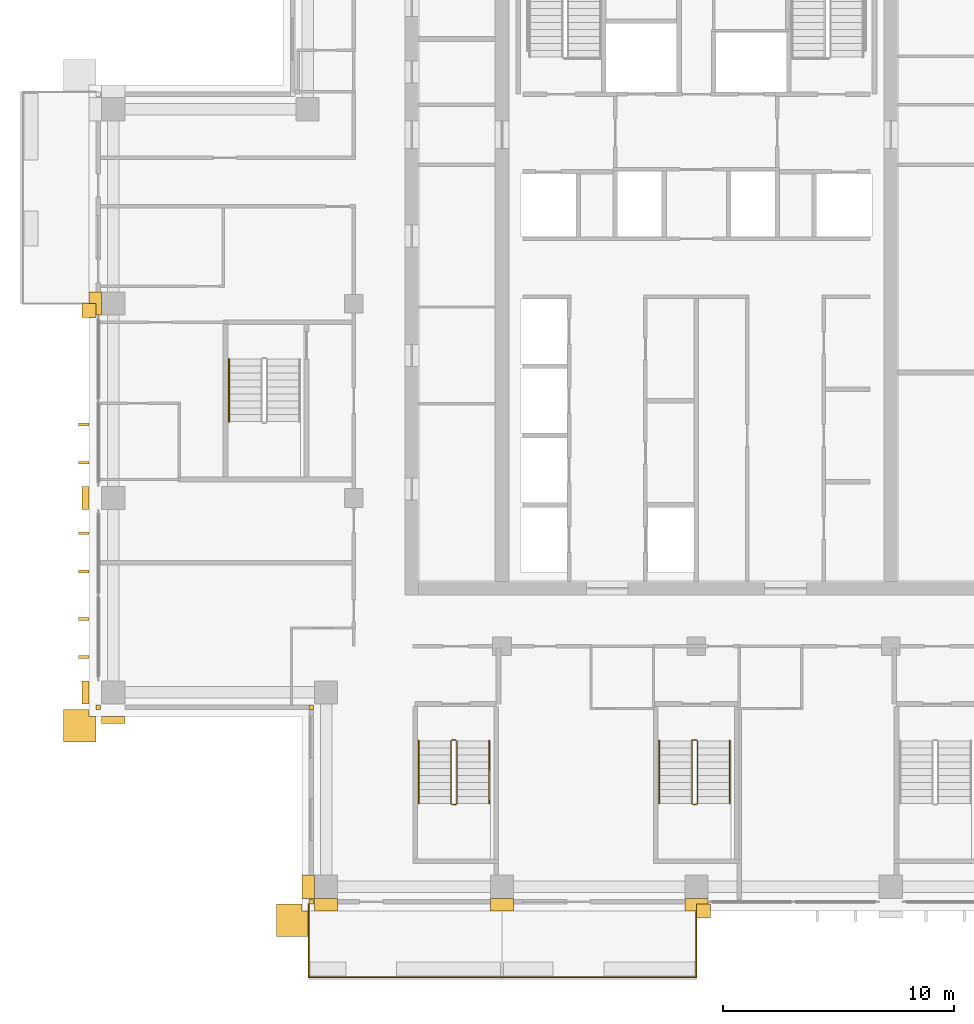
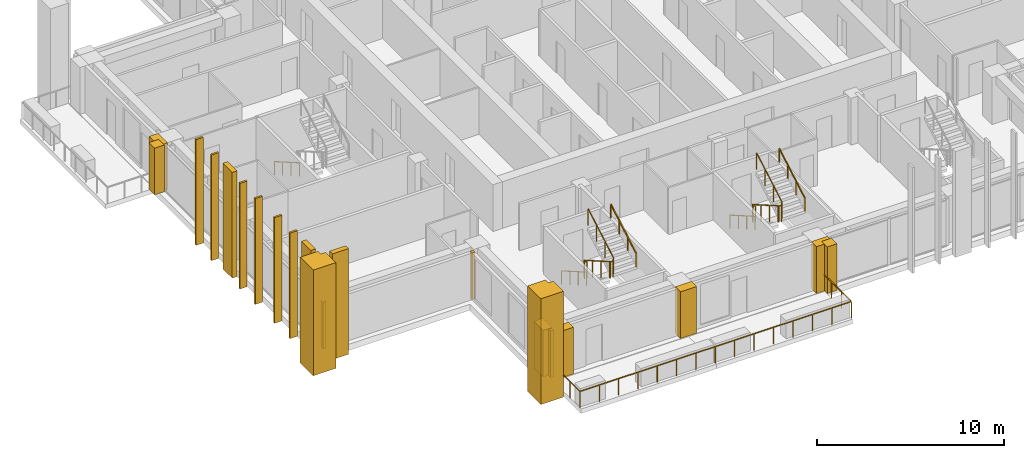
# One storey, part 13 of 16: 21 coverings, 9 railings.
"""IFC4 building model written with IfcOpenShell, lengths in metres."""

from ifc_helpers import new_model, si_unit, direction, frame, origin, origin_2d, place, context, subcontext, project, spatial, polyline, rectangle, outline, extrude, material, layer, layer_set, type_object, element, save


model = new_model("IFC4")

# Units and contexts
model_context = context("Model", 3, precision=1e-05, world=origin(), true_north=direction((0.0, 1.0)))
body_context = subcontext(model_context, "Body", "Model", "MODEL_VIEW")
ifc_project = project(units=[si_unit("LENGTHUNIT", "METRE"), si_unit("AREAUNIT", "SQUARE_METRE"), si_unit("VOLUMEUNIT", "CUBIC_METRE"), si_unit("PLANEANGLEUNIT", "RADIAN"), si_unit("MASSUNIT", "GRAM", prefix="KILO")], contexts=[model_context])

# Site, building, storey
site_placement = place(None, origin())
site = spatial("IfcSite", under=ifc_project, at=site_placement, CompositionType="ELEMENT")
building_placement = place(site_placement, origin())
building = spatial("IfcBuilding", under=site, at=building_placement, Name="Vermilion Ogive Tower", CompositionType="ELEMENT")
storey_placement = place(building_placement, frame((0.0, 0.0, 206.60009765625)))
storey = spatial("IfcBuildingStorey", under=building, at=storey_placement, Name="L54", CompositionType="ELEMENT", Elevation=206.60009765625)

# Railings
ifc_material_1 = material(Name="Stainless steel and glass", Category="steel")
railing_type_1 = type_object("IfcRailingType", Name="Balcony guard", PredefinedType="GUARDRAIL", material=ifc_material_1)
railing_1_placement = place(storey_placement, frame((-16.75, -21.75, -0.0400390625)))
element("IfcRailing", 1, at=railing_1_placement, inside=storey, type_object=railing_type_1, Name="Guard S01", PredefinedType="GUARDRAIL", context=body_context, shape_type="SweptSolid", body=[
    extrude(rectangle(XDim=0.048095703125, YDim=0.048095703125, at=origin_2d()), frame((0.0, 0.0, 1.076171875), z_axis=(0.0, -1.0, 0.0), x_axis=(1.0, 0.0, 0.0)), (0.0, 0.0, 1.0), 3.159912109375),
    extrude(rectangle(XDim=0.048095703125, YDim=0.048095703125, at=origin_2d()), frame((0.0, -3.159912109375, 1.076171875), z_axis=(1.0, 0.0, 0.0), x_axis=(0.0, 1.0, 0.0)), (0.0, 0.0, 1.0), 8.35009765625),
    extrude(rectangle(XDim=0.0419921875, YDim=0.0419921875, at=origin_2d()), origin(), (0.0, 0.0, 1.0), 1.052001953125),
    extrude(rectangle(XDim=0.0419921875, YDim=0.0419921875, at=origin_2d()), frame((0.0, -1.05322265625, 0.0)), (0.0, 0.0, 1.0), 1.052001953125),
    extrude(rectangle(XDim=0.0419921875, YDim=0.0419921875, at=origin_2d()), frame((0.0, -2.106689453125, 0.0)), (0.0, 0.0, 1.0), 1.052001953125),
    extrude(rectangle(XDim=0.0419921875, YDim=0.0419921875, at=origin_2d()), frame((0.0, -3.159912109375, 0.0)), (0.0, 0.0, 1.0), 1.052001953125),
    extrude(rectangle(XDim=0.0419921875, YDim=0.0419921875, at=origin_2d()), frame((1.19287109375, -3.159912109375, 0.0)), (0.0, 0.0, 1.0), 1.052001953125),
    extrude(rectangle(XDim=0.0419921875, YDim=0.0419921875, at=origin_2d()), frame((2.3857421875, -3.159912109375, 0.0)), (0.0, 0.0, 1.0), 1.052001953125),
    extrude(rectangle(XDim=0.0419921875, YDim=0.0419921875, at=origin_2d()), frame((3.57861328125, -3.159912109375, 0.0)), (0.0, 0.0, 1.0), 1.052001953125),
    extrude(rectangle(XDim=0.0419921875, YDim=0.0419921875, at=origin_2d()), frame((4.771484375, -3.159912109375, 0.0)), (0.0, 0.0, 1.0), 1.052001953125),
    extrude(rectangle(XDim=0.0419921875, YDim=0.0419921875, at=origin_2d()), frame((5.96435546875, -3.159912109375, 0.0)), (0.0, 0.0, 1.0), 1.052001953125),
    extrude(rectangle(XDim=0.0419921875, YDim=0.0419921875, at=origin_2d()), frame((7.1572265625, -3.159912109375, 0.0)), (0.0, 0.0, 1.0), 1.052001953125),
    extrude(rectangle(XDim=0.0419921875, YDim=0.0419921875, at=origin_2d()), frame((8.35009765625, -3.159912109375, 0.0)), (0.0, 0.0, 1.0), 1.052001953125),
])
railing_2_placement = place(storey_placement, frame((-8.39990234375, -24.909912109375, -0.0400390625)))
element("IfcRailing", 2, at=railing_2_placement, inside=storey, type_object=railing_type_1, Name="Guard S02", PredefinedType="GUARDRAIL", context=body_context, shape_type="SweptSolid", body=[
    extrude(rectangle(XDim=0.048095703125, YDim=0.048095703125, at=origin_2d()), frame((0.0, 0.0, 1.076171875), z_axis=(1.0, 0.0, 0.0), x_axis=(0.0, 1.0, 0.0)), (0.0, 0.0, 1.0), 8.39990234375),
    extrude(rectangle(XDim=0.048095703125, YDim=0.048095703125, at=origin_2d()), frame((8.39990234375, 0.0, 1.076171875), z_axis=(0.0, 1.0, 0.0), x_axis=(-1.0, 0.0, 0.0)), (0.0, 0.0, 1.0), 3.159912109375),
    extrude(rectangle(XDim=0.0419921875, YDim=0.0419921875, at=origin_2d()), origin(), (0.0, 0.0, 1.0), 1.052001953125),
    extrude(rectangle(XDim=0.0419921875, YDim=0.0419921875, at=origin_2d()), frame((1.199951171875, 0.0, 0.0)), (0.0, 0.0, 1.0), 1.052001953125),
    extrude(rectangle(XDim=0.0419921875, YDim=0.0419921875, at=origin_2d()), frame((2.39990234375, 0.0, 0.0)), (0.0, 0.0, 1.0), 1.052001953125),
    extrude(rectangle(XDim=0.0419921875, YDim=0.0419921875, at=origin_2d()), frame((3.599853515625, 0.0, 0.0)), (0.0, 0.0, 1.0), 1.052001953125),
    extrude(rectangle(XDim=0.0419921875, YDim=0.0419921875, at=origin_2d()), frame((4.800048828125, 0.0, 0.0)), (0.0, 0.0, 1.0), 1.052001953125),
    extrude(rectangle(XDim=0.0419921875, YDim=0.0419921875, at=origin_2d()), frame((6.0, 0.0, 0.0)), (0.0, 0.0, 1.0), 1.052001953125),
    extrude(rectangle(XDim=0.0419921875, YDim=0.0419921875, at=origin_2d()), frame((7.199951171875, 0.0, 0.0)), (0.0, 0.0, 1.0), 1.052001953125),
    extrude(rectangle(XDim=0.0419921875, YDim=0.0419921875, at=origin_2d()), frame((8.39990234375, 0.0, 0.0)), (0.0, 0.0, 1.0), 1.052001953125),
    extrude(rectangle(XDim=0.0419921875, YDim=0.0419921875, at=origin_2d()), frame((8.39990234375, 1.05322265625, 0.0)), (0.0, 0.0, 1.0), 1.052001953125),
    extrude(rectangle(XDim=0.0419921875, YDim=0.0419921875, at=origin_2d()), frame((8.39990234375, 2.106689453125, 0.0)), (0.0, 0.0, 1.0), 1.052001953125),
    extrude(rectangle(XDim=0.0419921875, YDim=0.0419921875, at=origin_2d()), frame((8.39990234375, 3.159912109375, 0.0)), (0.0, 0.0, 1.0), 1.052001953125),
])

# Coverings
ifc_material_2 = material(Name="Glazed ceramic screen")
ifc_layer = layer(ifc_material_2, 0.14990234375)
ifc_layer_set = layer_set([ifc_layer], Name="Ceramic solar screen fin")
covering_type_1 = type_object("IfcCoveringType", Name="Ceramic solar screen fin", PredefinedType="CLADDING", material=ifc_layer_set)
covering_1_placement = place(storey_placement, frame((0.0, 0.0, -0.400146484375)))
element("IfcCovering", 3, at=covering_1_placement, inside=storey, type_object=covering_type_1, Name="Solar screen blade W991", PredefinedType="CLADDING", context=body_context, shape_type="SweptSolid", body=[
    extrude(outline(polyline([(-26.699951171875, -0.965087890625), (-26.699951171875, -1.0849609375), (-26.25, -1.0849609375), (-26.25, -0.965087890625), (-26.699951171875, -0.965087890625)])), origin(), (0.0, 0.0, 1.0), 6.900146484375),
])
covering_2_placement = place(storey_placement, frame((0.0, 0.0, -0.400146484375)))
element("IfcCovering", 4, at=covering_2_placement, inside=storey, type_object=covering_type_1, Name="Solar screen blade W992", PredefinedType="CLADDING", context=body_context, shape_type="SweptSolid", body=[
    extrude(outline(polyline([(-26.699951171875, -2.614990234375), (-26.699951171875, -2.735107421875), (-26.25, -2.735107421875), (-26.25, -2.614990234375), (-26.699951171875, -2.614990234375)])), origin(), (0.0, 0.0, 1.0), 6.900146484375),
])
covering_3_placement = place(storey_placement, frame((0.0, 0.0, -0.400146484375)))
element("IfcCovering", 5, at=covering_3_placement, inside=storey, type_object=covering_type_1, Name="Solar screen blade W971", PredefinedType="CLADDING", context=body_context, shape_type="SweptSolid", body=[
    extrude(outline(polyline([(-26.699951171875, -9.364990234375), (-26.699951171875, -9.485107421875), (-26.25, -9.485107421875), (-26.25, -9.364990234375), (-26.699951171875, -9.364990234375)])), origin(), (0.0, 0.0, 1.0), 6.900146484375),
])
covering_4_placement = place(storey_placement, frame((0.0, 0.0, -0.400146484375)))
element("IfcCovering", 6, at=covering_4_placement, inside=storey, type_object=covering_type_1, Name="Solar screen blade W972", PredefinedType="CLADDING", context=body_context, shape_type="SweptSolid", body=[
    extrude(outline(polyline([(-26.699951171875, -11.014892578125), (-26.699951171875, -11.135009765625), (-26.25, -11.135009765625), (-26.25, -11.014892578125), (-26.699951171875, -11.014892578125)])), origin(), (0.0, 0.0, 1.0), 6.900146484375),
])
covering_5_placement = place(storey_placement, frame((0.0, 0.0, -0.400146484375)))
element("IfcCovering", 7, at=covering_5_placement, inside=storey, type_object=covering_type_1, Name="Solar screen blade W981", PredefinedType="CLADDING", context=body_context, shape_type="SweptSolid", body=[
    extrude(outline(polyline([(-26.699951171875, -5.6650390625), (-26.699951171875, -5.784912109375), (-26.25, -5.784912109375), (-26.25, -5.6650390625), (-26.699951171875, -5.6650390625)])), origin(), (0.0, 0.0, 1.0), 6.900146484375),
])
covering_6_placement = place(storey_placement, frame((0.0, 0.0, -0.400146484375)))
element("IfcCovering", 8, at=covering_6_placement, inside=storey, type_object=covering_type_1, Name="Solar screen blade W982", PredefinedType="CLADDING", context=body_context, shape_type="SweptSolid", body=[
    extrude(outline(polyline([(-26.699951171875, -7.31494140625), (-26.699951171875, -7.43505859375), (-26.25, -7.43505859375), (-26.25, -7.31494140625), (-26.699951171875, -7.31494140625)])), origin(), (0.0, 0.0, 1.0), 6.900146484375),
])

# Railings
ifc_material_3 = material(Name="Steel S355 painted", Category="steel")
railing_type_2 = type_object("IfcRailingType", Name="Stair guard 1100", PredefinedType="GUARDRAIL", material=ifc_material_3)
railing_3_placement = place(storey_placement, frame((-10.39990234375, -14.64990234375, 0.0)))
element("IfcRailing", 9, at=railing_3_placement, inside=storey, type_object=railing_type_2, Name="L54 ST3 stair guard 4", PredefinedType="GUARDRAIL", context=body_context, shape_type="SweptSolid", body=[
    extrude(rectangle(XDim=0.048095703125, YDim=0.048095703125, at=origin_2d()), frame((0.0, 0.0, 1.076171875), z_axis=(-1.0, 0.0, 0.0), x_axis=(0.0, -1.0, 0.0)), (0.0, 0.0, 1.0), 0.150146484375),
    extrude(rectangle(XDim=0.048095703125, YDim=0.048095703125, at=origin_2d()), frame((-0.150146484375, 0.0, 1.076171875), z_axis=(-0.268603158521, -0.268603158521, 0.925043072762), x_axis=(0.707106781187, -0.707106781187, 0.0)), (0.0, 0.0, 1.0), 0.186279296875),
    extrude(rectangle(XDim=0.048095703125, YDim=0.048095703125, at=origin_2d()), frame((-0.2001953125, -0.050048828125, 1.24853515625), z_axis=(0.0, -0.866903762492, 0.498475542607), x_axis=(1.0, 0.0, 0.0)), (0.0, 0.0, 1.0), 3.114501953125),
    extrude(rectangle(XDim=0.048095703125, YDim=0.048095703125, at=origin_2d()), frame((-0.2001953125, -2.75, 2.80078125), z_axis=(0.707106781187, -0.707106781187, 0.0), x_axis=(0.707106781187, 0.707106781187, 0.0)), (0.0, 0.0, 1.0), 0.07080078125),
    extrude(rectangle(XDim=0.048095703125, YDim=0.048095703125, at=origin_2d()), frame((-0.150146484375, -2.800048828125, 2.80078125), z_axis=(1.0, 0.0, 0.0), x_axis=(0.0, 1.0, 0.0)), (0.0, 0.0, 1.0), 0.150146484375),
    extrude(rectangle(XDim=0.048095703125, YDim=0.048095703125, at=origin_2d()), frame((0.0, -2.800048828125, 2.80078125), z_axis=(0.267062837333, 0.268371968888, 0.925556009775), x_axis=(-0.708833529934, 0.705375805398, 0.0)), (0.0, 0.0, 1.0), 0.1865234375),
    extrude(rectangle(XDim=0.048095703125, YDim=0.048095703125, at=origin_2d()), frame((0.0498046875, -2.75, 2.9736328125), z_axis=(0.0, 0.866903762492, 0.498475542607), x_axis=(-1.0, 0.0, 0.0)), (0.0, 0.0, 1.0), 3.114501953125),
    extrude(rectangle(XDim=0.0419921875, YDim=0.0419921875, at=origin_2d()), origin(), (0.0, 0.0, 1.0), 1.052001953125),
    extrude(rectangle(XDim=0.0419921875, YDim=0.0419921875, at=origin_2d()), frame((-0.150146484375, 0.0, 0.0)), (0.0, 0.0, 1.0), 1.052001953125),
    extrude(rectangle(XDim=0.0419921875, YDim=0.0419921875, at=origin_2d()), frame((-0.2001953125, -0.050048828125, 0.17236328125)), (0.0, 0.0, 1.0), 1.052001953125),
    extrude(rectangle(XDim=0.0419921875, YDim=0.0419921875, at=origin_2d()), frame((-0.2001953125, -0.949951171875, 0.68994140625)), (0.0, 0.0, 1.0), 1.052001953125),
    extrude(rectangle(XDim=0.0419921875, YDim=0.0419921875, at=origin_2d()), frame((-0.2001953125, -1.85009765625, 1.207275390625)), (0.0, 0.0, 1.0), 1.052001953125),
    extrude(rectangle(XDim=0.0419921875, YDim=0.0419921875, at=origin_2d()), frame((-0.2001953125, -2.75, 1.724853515625)), (0.0, 0.0, 1.0), 1.052001953125),
    extrude(rectangle(XDim=0.0419921875, YDim=0.0419921875, at=origin_2d()), frame((-0.150146484375, -2.800048828125, 1.724853515625)), (0.0, 0.0, 1.0), 1.052001953125),
    extrude(rectangle(XDim=0.0419921875, YDim=0.0419921875, at=origin_2d()), frame((0.0, -2.800048828125, 1.724853515625)), (0.0, 0.0, 1.0), 1.052001953125),
    extrude(rectangle(XDim=0.0419921875, YDim=0.0419921875, at=origin_2d()), frame((0.0498046875, -2.75, 1.8974609375)), (0.0, 0.0, 1.0), 1.052001953125),
    extrude(rectangle(XDim=0.0419921875, YDim=0.0419921875, at=origin_2d()), frame((0.0498046875, -1.85009765625, 2.4150390625)), (0.0, 0.0, 1.0), 1.052001953125),
    extrude(rectangle(XDim=0.0419921875, YDim=0.0419921875, at=origin_2d()), frame((0.0498046875, -0.949951171875, 2.932373046875)), (0.0, 0.0, 1.0), 1.052001953125),
    extrude(rectangle(XDim=0.0419921875, YDim=0.0419921875, at=origin_2d()), frame((0.0498046875, -0.050048828125, 3.449951171875)), (0.0, 0.0, 1.0), 1.052001953125),
])
railing_4_placement = place(storey_placement, frame((0.0, -14.64990234375, 0.0)))
element("IfcRailing", 10, at=railing_4_placement, inside=storey, type_object=railing_type_2, Name="L54 ST4 stair guard 4", PredefinedType="GUARDRAIL", context=body_context, shape_type="SweptSolid", body=[
    extrude(rectangle(XDim=0.048095703125, YDim=0.048095703125, at=origin_2d()), frame((0.0, 0.0, 1.076171875), z_axis=(-1.0, 0.0, 0.0), x_axis=(0.0, -1.0, 0.0)), (0.0, 0.0, 1.0), 0.14990234375),
    extrude(rectangle(XDim=0.048095703125, YDim=0.048095703125, at=origin_2d()), frame((-0.14990234375, 0.0, 1.076171875), z_axis=(-0.268603158521, -0.268603158521, 0.925043072762), x_axis=(0.707106781187, -0.707106781187, 0.0)), (0.0, 0.0, 1.0), 0.186279296875),
    extrude(rectangle(XDim=0.048095703125, YDim=0.048095703125, at=origin_2d()), frame((-0.199951171875, -0.050048828125, 1.24853515625), z_axis=(0.0, -0.866903762492, 0.498475542607), x_axis=(1.0, 0.0, 0.0)), (0.0, 0.0, 1.0), 3.114501953125),
    extrude(rectangle(XDim=0.048095703125, YDim=0.048095703125, at=origin_2d()), frame((-0.199951171875, -2.75, 2.80078125), z_axis=(0.707106781187, -0.707106781187, 0.0), x_axis=(0.707106781187, 0.707106781187, 0.0)), (0.0, 0.0, 1.0), 0.07080078125),
    extrude(rectangle(XDim=0.048095703125, YDim=0.048095703125, at=origin_2d()), frame((-0.14990234375, -2.800048828125, 2.80078125), z_axis=(1.0, 0.0, 0.0), x_axis=(0.0, 1.0, 0.0)), (0.0, 0.0, 1.0), 0.14990234375),
    extrude(rectangle(XDim=0.048095703125, YDim=0.048095703125, at=origin_2d()), frame((0.0, -2.800048828125, 2.80078125), z_axis=(0.268277960024, 0.268277960024, 0.925231793839), x_axis=(-0.707106781187, 0.707106781187, 0.0)), (0.0, 0.0, 1.0), 0.1865234375),
    extrude(rectangle(XDim=0.048095703125, YDim=0.048095703125, at=origin_2d()), frame((0.050048828125, -2.75, 2.9736328125), z_axis=(0.0, 0.866903762492, 0.498475542607), x_axis=(-1.0, 0.0, 0.0)), (0.0, 0.0, 1.0), 3.114501953125),
    extrude(rectangle(XDim=0.0419921875, YDim=0.0419921875, at=origin_2d()), origin(), (0.0, 0.0, 1.0), 1.052001953125),
    extrude(rectangle(XDim=0.0419921875, YDim=0.0419921875, at=origin_2d()), frame((-0.14990234375, 0.0, 0.0)), (0.0, 0.0, 1.0), 1.052001953125),
    extrude(rectangle(XDim=0.0419921875, YDim=0.0419921875, at=origin_2d()), frame((-0.199951171875, -0.050048828125, 0.17236328125)), (0.0, 0.0, 1.0), 1.052001953125),
    extrude(rectangle(XDim=0.0419921875, YDim=0.0419921875, at=origin_2d()), frame((-0.199951171875, -0.949951171875, 0.68994140625)), (0.0, 0.0, 1.0), 1.052001953125),
    extrude(rectangle(XDim=0.0419921875, YDim=0.0419921875, at=origin_2d()), frame((-0.199951171875, -1.85009765625, 1.207275390625)), (0.0, 0.0, 1.0), 1.052001953125),
    extrude(rectangle(XDim=0.0419921875, YDim=0.0419921875, at=origin_2d()), frame((-0.199951171875, -2.75, 1.724853515625)), (0.0, 0.0, 1.0), 1.052001953125),
    extrude(rectangle(XDim=0.0419921875, YDim=0.0419921875, at=origin_2d()), frame((-0.14990234375, -2.800048828125, 1.724853515625)), (0.0, 0.0, 1.0), 1.052001953125),
    extrude(rectangle(XDim=0.0419921875, YDim=0.0419921875, at=origin_2d()), frame((0.0, -2.800048828125, 1.724853515625)), (0.0, 0.0, 1.0), 1.052001953125),
    extrude(rectangle(XDim=0.0419921875, YDim=0.0419921875, at=origin_2d()), frame((0.050048828125, -2.75, 1.8974609375)), (0.0, 0.0, 1.0), 1.052001953125),
    extrude(rectangle(XDim=0.0419921875, YDim=0.0419921875, at=origin_2d()), frame((0.050048828125, -1.85009765625, 2.4150390625)), (0.0, 0.0, 1.0), 1.052001953125),
    extrude(rectangle(XDim=0.0419921875, YDim=0.0419921875, at=origin_2d()), frame((0.050048828125, -0.949951171875, 2.932373046875)), (0.0, 0.0, 1.0), 1.052001953125),
    extrude(rectangle(XDim=0.0419921875, YDim=0.0419921875, at=origin_2d()), frame((0.050048828125, -0.050048828125, 3.449951171875)), (0.0, 0.0, 1.0), 1.052001953125),
])
ifc_material_4 = material(Name="Stainless steel", Category="steel")
railing_type_3 = type_object("IfcRailingType", Name="Stair handrail 900", PredefinedType="HANDRAIL", material=ifc_material_4)
railing_5_placement = place(storey_placement, frame((-12.0, -14.699951171875, 0.17236328125)))
element("IfcRailing", 11, at=railing_5_placement, inside=storey, type_object=railing_type_3, Name="L54 ST3 stair handrail 1", PredefinedType="HANDRAIL", context=body_context, shape_type="SweptSolid", body=[
    extrude(rectangle(XDim=0.048095703125, YDim=0.048095703125, at=origin_2d()), frame((0.0, 0.0, 0.8759765625), z_axis=(0.0, -0.866903762492, 0.498475542607), x_axis=(1.0, 0.0, 0.0)), (0.0, 0.0, 1.0), 3.114501953125),
    extrude(rectangle(XDim=0.0419921875, YDim=0.0419921875, at=origin_2d()), origin(), (0.0, 0.0, 1.0), 0.851806640625),
    extrude(rectangle(XDim=0.0419921875, YDim=0.0419921875, at=origin_2d()), frame((0.0, -0.89990234375, 0.517578125)), (0.0, 0.0, 1.0), 0.851806640625),
    extrude(rectangle(XDim=0.0419921875, YDim=0.0419921875, at=origin_2d()), frame((0.0, -1.800048828125, 1.034912109375)), (0.0, 0.0, 1.0), 0.851806640625),
    extrude(rectangle(XDim=0.0419921875, YDim=0.0419921875, at=origin_2d()), frame((0.0, -2.699951171875, 1.552490234375)), (0.0, 0.0, 1.0), 0.851806640625),
])
railing_6_placement = place(storey_placement, frame((-8.949951171875, -17.39990234375, 1.8974609375)))
element("IfcRailing", 12, at=railing_6_placement, inside=storey, type_object=railing_type_3, Name="L54 ST3 stair handrail 2", PredefinedType="HANDRAIL", context=body_context, shape_type="SweptSolid", body=[
    extrude(rectangle(XDim=0.048095703125, YDim=0.048095703125, at=origin_2d()), frame((0.0, 0.0, 0.8759765625), z_axis=(0.0, 0.866903762492, 0.498475542607), x_axis=(-1.0, 0.0, 0.0)), (0.0, 0.0, 1.0), 3.114501953125),
    extrude(rectangle(XDim=0.0419921875, YDim=0.0419921875, at=origin_2d()), origin(), (0.0, 0.0, 1.0), 0.851806640625),
    extrude(rectangle(XDim=0.0419921875, YDim=0.0419921875, at=origin_2d()), frame((0.0, 0.89990234375, 0.517578125)), (0.0, 0.0, 1.0), 0.851806640625),
    extrude(rectangle(XDim=0.0419921875, YDim=0.0419921875, at=origin_2d()), frame((0.0, 1.800048828125, 1.034912109375)), (0.0, 0.0, 1.0), 0.851806640625),
    extrude(rectangle(XDim=0.0419921875, YDim=0.0419921875, at=origin_2d()), frame((0.0, 2.699951171875, 1.552490234375)), (0.0, 0.0, 1.0), 0.851806640625),
])
railing_7_placement = place(storey_placement, frame((-1.60009765625, -14.699951171875, 0.17236328125)))
element("IfcRailing", 13, at=railing_7_placement, inside=storey, type_object=railing_type_3, Name="L54 ST4 stair handrail 1", PredefinedType="HANDRAIL", context=body_context, shape_type="SweptSolid", body=[
    extrude(rectangle(XDim=0.048095703125, YDim=0.048095703125, at=origin_2d()), frame((0.0, 0.0, 0.8759765625), z_axis=(0.0, -0.866903762492, 0.498475542607), x_axis=(1.0, 0.0, 0.0)), (0.0, 0.0, 1.0), 3.114501953125),
    extrude(rectangle(XDim=0.0419921875, YDim=0.0419921875, at=origin_2d()), origin(), (0.0, 0.0, 1.0), 0.851806640625),
    extrude(rectangle(XDim=0.0419921875, YDim=0.0419921875, at=origin_2d()), frame((0.0, -0.89990234375, 0.517578125)), (0.0, 0.0, 1.0), 0.851806640625),
    extrude(rectangle(XDim=0.0419921875, YDim=0.0419921875, at=origin_2d()), frame((0.0, -1.800048828125, 1.034912109375)), (0.0, 0.0, 1.0), 0.851806640625),
    extrude(rectangle(XDim=0.0419921875, YDim=0.0419921875, at=origin_2d()), frame((0.0, -2.699951171875, 1.552490234375)), (0.0, 0.0, 1.0), 0.851806640625),
])
railing_8_placement = place(storey_placement, frame((1.449951171875, -17.39990234375, 1.8974609375)))
element("IfcRailing", 14, at=railing_8_placement, inside=storey, type_object=railing_type_3, Name="L54 ST4 stair handrail 2", PredefinedType="HANDRAIL", context=body_context, shape_type="SweptSolid", body=[
    extrude(rectangle(XDim=0.048095703125, YDim=0.048095703125, at=origin_2d()), frame((0.0, 0.0, 0.8759765625), z_axis=(0.0, 0.866903762492, 0.498475542607), x_axis=(-1.0, 0.0, 0.0)), (0.0, 0.0, 1.0), 3.114501953125),
    extrude(rectangle(XDim=0.0419921875, YDim=0.0419921875, at=origin_2d()), origin(), (0.0, 0.0, 1.0), 0.851806640625),
    extrude(rectangle(XDim=0.0419921875, YDim=0.0419921875, at=origin_2d()), frame((0.0, 0.89990234375, 0.517578125)), (0.0, 0.0, 1.0), 0.851806640625),
    extrude(rectangle(XDim=0.0419921875, YDim=0.0419921875, at=origin_2d()), frame((0.0, 1.800048828125, 1.034912109375)), (0.0, 0.0, 1.0), 0.851806640625),
    extrude(rectangle(XDim=0.0419921875, YDim=0.0419921875, at=origin_2d()), frame((0.0, 2.699951171875, 1.552490234375)), (0.0, 0.0, 1.0), 0.851806640625),
])
railing_9_placement = place(storey_placement, frame((-20.199951171875, 1.800048828125, 0.17236328125)))
element("IfcRailing", 15, at=railing_9_placement, inside=storey, type_object=railing_type_3, Name="L54 ST9 stair handrail 1", PredefinedType="HANDRAIL", context=body_context, shape_type="SweptSolid", body=[
    extrude(rectangle(XDim=0.048095703125, YDim=0.048095703125, at=origin_2d()), frame((0.0, 0.0, 0.8759765625), z_axis=(0.0, -0.866903762492, 0.498475542607), x_axis=(1.0, 0.0, 0.0)), (0.0, 0.0, 1.0), 3.114501953125),
    extrude(rectangle(XDim=0.0419921875, YDim=0.0419921875, at=origin_2d()), origin(), (0.0, 0.0, 1.0), 0.851806640625),
    extrude(rectangle(XDim=0.0419921875, YDim=0.0419921875, at=origin_2d()), frame((0.0, -0.89990234375, 0.517578125)), (0.0, 0.0, 1.0), 0.851806640625),
    extrude(rectangle(XDim=0.0419921875, YDim=0.0419921875, at=origin_2d()), frame((0.0, -1.800048828125, 1.034912109375)), (0.0, 0.0, 1.0), 0.851806640625),
    extrude(rectangle(XDim=0.0419921875, YDim=0.0419921875, at=origin_2d()), frame((0.0, -2.699951171875, 1.552490234375)), (0.0, 0.0, 1.0), 0.851806640625),
])

# Coverings
ifc_material_5 = material(Name="Stone cladding", Category="masonry")
covering_type_2 = type_object("IfcCoveringType", Name="Stone corner buttress", PredefinedType="CLADDING", material=ifc_material_5)
covering_7_placement = place(storey_placement, origin())
element("IfcCovering", 16, at=covering_7_placement, inside=storey, type_object=covering_type_2, Name="Stone crease pier SK", PredefinedType="CLADDING", context=body_context, shape_type="SweptSolid", body=[
    extrude(outline(polyline([(0.0, -22.35009765625), (0.60009765625, -22.35009765625), (0.60009765625, -21.75), (0.0, -21.75), (0.0, -22.35009765625)])), origin(), (0.0, 0.0, 1.0), 3.0498046875),
])
covering_8_placement = place(storey_placement, origin())
element("IfcCovering", 17, at=covering_8_placement, inside=storey, type_object=covering_type_2, Name="Stone crease pier WK", PredefinedType="CLADDING", context=body_context, shape_type="SweptSolid", body=[
    extrude(outline(polyline([(-26.550048828125, 4.199951171875), (-26.550048828125, 3.60009765625), (-25.949951171875, 3.60009765625), (-25.949951171875, 4.199951171875), (-26.550048828125, 4.199951171875)])), origin(), (0.0, 0.0, 1.0), 3.0498046875),
])
covering_9_placement = place(storey_placement, frame((0.0, 0.0, -0.400146484375)))
element("IfcCovering", 18, at=covering_9_placement, inside=storey, type_object=covering_type_2, Name="Stone corner buttress S1", PredefinedType="CLADDING", context=body_context, shape_type="SweptSolid", body=[
    extrude(outline(polyline([(-17.050048828125, -22.050048828125), (-16.75, -22.050048828125), (-16.75, -23.14990234375), (-18.14990234375, -23.14990234375), (-18.14990234375, -21.75), (-17.050048828125, -21.75), (-17.050048828125, -22.050048828125)])), origin(), (0.0, 0.0, 1.0), 6.900146484375),
])
covering_10_placement = place(storey_placement, frame((0.0, 0.0, -0.400146484375)))
element("IfcCovering", 19, at=covering_10_placement, inside=storey, type_object=covering_type_2, Name="Stone corner buttress X71", PredefinedType="CLADDING", context=body_context, shape_type="SweptSolid", body=[
    extrude(outline(polyline([(-26.25, -13.35009765625), (-26.25, -13.64990234375), (-25.949951171875, -13.64990234375), (-25.949951171875, -14.75), (-27.35009765625, -14.75), (-27.35009765625, -13.35009765625), (-26.25, -13.35009765625)])), origin(), (0.0, 0.0, 1.0), 6.900146484375),
])
ifc_material_6 = material(Name="Stone cladding", Category="masonry")
covering_type_3 = type_object("IfcCoveringType", Name="Stone pier", PredefinedType="CLADDING", material=ifc_material_6)
covering_11_placement = place(storey_placement, origin())
element("IfcCovering", 20, at=covering_11_placement, inside=storey, type_object=covering_type_3, Name="Stone corner pier WE1", PredefinedType="CLADDING", context=body_context, shape_type="SweptSolid", body=[
    extrude(outline(polyline([(-25.75, -13.14990234375), (-25.75, -13.35009765625), (-25.949951171875, -13.35009765625), (-25.949951171875, -13.14990234375), (-25.75, -13.14990234375)])), origin(), (0.0, 0.0, 1.0), 3.0498046875),
])
covering_12_placement = place(storey_placement, origin())
element("IfcCovering", 21, at=covering_12_placement, inside=storey, type_object=covering_type_3, Name="Stone corner pier X7E1", PredefinedType="CLADDING", context=body_context, shape_type="SweptSolid", body=[
    extrude(outline(polyline([(-16.550048828125, -13.14990234375), (-16.550048828125, -13.35009765625), (-16.75, -13.35009765625), (-16.75, -13.14990234375), (-16.550048828125, -13.14990234375)])), origin(), (0.0, 0.0, 1.0), 3.0498046875),
])
covering_13_placement = place(storey_placement, origin())
element("IfcCovering", 22, at=covering_13_placement, inside=storey, type_object=covering_type_3, Name="Stone corner pier X8E1", PredefinedType="CLADDING", context=body_context, shape_type="SweptSolid", body=[
    extrude(outline(polyline([(-16.550048828125, -21.550048828125), (-16.550048828125, -21.75), (-16.75, -21.75), (-16.75, -21.550048828125), (-16.550048828125, -21.550048828125)])), origin(), (0.0, 0.0, 1.0), 3.0498046875),
])
covering_14_placement = place(storey_placement, frame((0.0, 0.0, -0.400146484375)))
element("IfcCovering", 23, at=covering_14_placement, inside=storey, type_object=covering_type_3, Name="Stone pier P-0252-042", PredefinedType="CLADDING", context=body_context, shape_type="SweptSolid", body=[
    extrude(outline(polyline([(-26.550048828125, -4.699951171875), (-26.550048828125, -3.699951171875), (-26.25, -3.699951171875), (-26.25, -4.699951171875), (-26.550048828125, -4.699951171875)])), origin(), (0.0, 0.0, 1.0), 6.900146484375),
])
covering_15_placement = place(storey_placement, frame((0.0, 0.0, -0.400146484375)))
element("IfcCovering", 24, at=covering_15_placement, inside=storey, type_object=covering_type_3, Name="Stone pier P-0252-126W", PredefinedType="CLADDING", context=body_context, shape_type="SweptSolid", body=[
    extrude(outline(polyline([(-26.550048828125, -13.10009765625), (-26.550048828125, -12.10009765625), (-26.25, -12.10009765625), (-26.25, -13.10009765625), (-26.550048828125, -13.10009765625)])), origin(), (0.0, 0.0, 1.0), 6.900146484375),
])
covering_16_placement = place(storey_placement, frame((0.0, 0.0, -0.400146484375)))
element("IfcCovering", 25, at=covering_16_placement, inside=storey, type_object=covering_type_3, Name="Stone pier P-0252-126X7", PredefinedType="CLADDING", context=body_context, shape_type="SweptSolid", body=[
    extrude(outline(polyline([(-25.699951171875, -13.949951171875), (-25.699951171875, -13.64990234375), (-24.699951171875, -13.64990234375), (-24.699951171875, -13.949951171875), (-25.699951171875, -13.949951171875)])), origin(), (0.0, 0.0, 1.0), 6.900146484375),
])
covering_17_placement = place(storey_placement, origin())
element("IfcCovering", 26, at=covering_17_placement, inside=storey, type_object=covering_type_3, Name="Stone pier P+0000-210", PredefinedType="CLADDING", context=body_context, shape_type="SweptSolid", body=[
    extrude(outline(polyline([(0.5, -21.75), (0.0, -21.75), (0.0, -22.050048828125), (-0.5, -22.050048828125), (-0.5, -21.5), (0.5, -21.5), (0.5, -21.75)])), origin(), (0.0, 0.0, 1.0), 3.0498046875),
])
covering_18_placement = place(storey_placement, origin())
element("IfcCovering", 27, at=covering_18_placement, inside=storey, type_object=covering_type_3, Name="Stone pier P-0084-210", PredefinedType="CLADDING", context=body_context, shape_type="SweptSolid", body=[
    extrude(outline(polyline([(-7.89990234375, -22.050048828125), (-8.89990234375, -22.050048828125), (-8.89990234375, -21.5), (-7.89990234375, -21.5), (-7.89990234375, -22.050048828125)])), origin(), (0.0, 0.0, 1.0), 3.0498046875),
])
covering_19_placement = place(storey_placement, origin())
element("IfcCovering", 28, at=covering_19_placement, inside=storey, type_object=covering_type_3, Name="Stone pier P-0160-210S", PredefinedType="CLADDING", context=body_context, shape_type="SweptSolid", body=[
    extrude(outline(polyline([(-15.5, -22.050048828125), (-16.5, -22.050048828125), (-16.5, -21.5), (-15.5, -21.5), (-15.5, -22.050048828125)])), origin(), (0.0, 0.0, 1.0), 3.0498046875),
])
covering_20_placement = place(storey_placement, origin())
element("IfcCovering", 29, at=covering_20_placement, inside=storey, type_object=covering_type_3, Name="Stone pier P-0160-210X8", PredefinedType="CLADDING", context=body_context, shape_type="SweptSolid", body=[
    extrude(outline(polyline([(-17.050048828125, -20.5), (-16.5, -20.5), (-16.5, -21.5), (-17.050048828125, -21.5), (-17.050048828125, -20.5)])), origin(), (0.0, 0.0, 1.0), 3.0498046875),
])
covering_21_placement = place(storey_placement, origin())
element("IfcCovering", 30, at=covering_21_placement, inside=storey, type_object=covering_type_3, Name="Stone pier P-0252+042", PredefinedType="CLADDING", context=body_context, shape_type="SweptSolid", body=[
    extrude(outline(polyline([(-25.699951171875, 3.699951171875), (-25.949951171875, 3.699951171875), (-25.949951171875, 4.199951171875), (-26.25, 4.199951171875), (-26.25, 4.699951171875), (-25.699951171875, 4.699951171875), (-25.699951171875, 4.699951171875), (-25.699951171875, 3.699951171875)])), origin(), (0.0, 0.0, 1.0), 3.0498046875),
])

save(model, "model.ifc")
